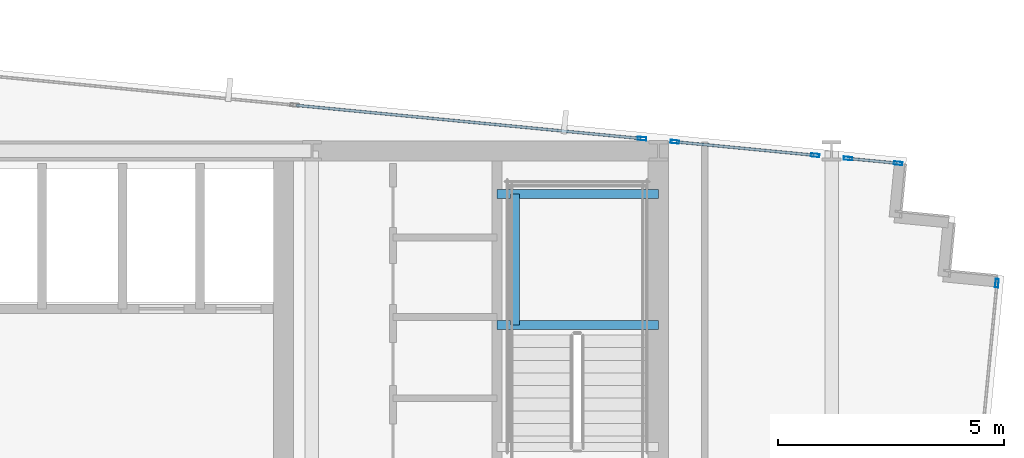
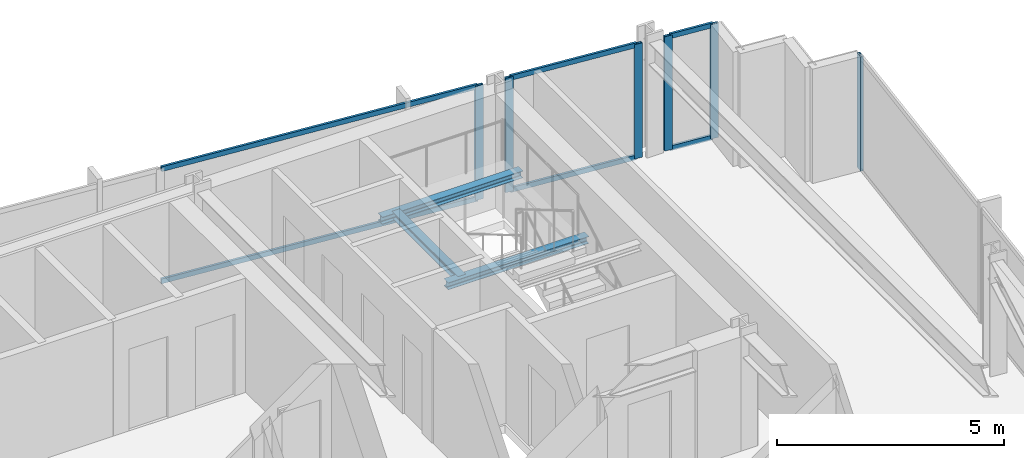
# One storey, part 27 of 38: 12 members, 3 beams, 4 elements without a shape of their own.
"""IFC4 building model written with IfcOpenShell, lengths in metres."""

from ifc_helpers import new_model, si_unit, direction, frame, origin, origin_2d, place, context, subcontext, project, spatial, hollow_rectangle, i_section, extrude, material, material_profile, profile_set, type_object, element, aggregate, save


model = new_model("IFC4")

# Units and contexts
model_context = context("Model", 3, precision=1e-05, world=origin(), true_north=direction((0.0, 1.0)))
body_context = subcontext(model_context, "Body", "Model", "MODEL_VIEW")
ifc_project = project(units=[si_unit("LENGTHUNIT", "METRE"), si_unit("AREAUNIT", "SQUARE_METRE"), si_unit("VOLUMEUNIT", "CUBIC_METRE"), si_unit("PLANEANGLEUNIT", "RADIAN"), si_unit("MASSUNIT", "GRAM", prefix="KILO")], contexts=[model_context])

# Site, building, storey
site_placement = place(None, origin())
site = spatial("IfcSite", under=ifc_project, at=site_placement, CompositionType="ELEMENT")
building_placement = place(site_placement, origin())
building = spatial("IfcBuilding", under=site, at=building_placement, Name="Yelkora Congress Tower", CompositionType="ELEMENT")
storey_placement = place(building_placement, frame((0.0, 0.0, 155.60009765625)))
storey = spatial("IfcBuildingStorey", under=building, at=storey_placement, Name="L42", CompositionType="ELEMENT", Elevation=155.60009765625)

# Beams
ifc_material_1 = material(Name="Steel S355J2", Category="steel")
ifc_material_profile_1 = material_profile(ifc_material_1, i_section(OverallWidth=0.199951171875, OverallDepth=0.18994140625, WebThickness=0.006591796875, FlangeThickness=0.010009765625, FilletRadius=0.01806640625, at=origin_2d()), Name="HEA 200")
ifc_profile_set_1 = profile_set([ifc_material_profile_1], Name="Steel S355J2")
beam_type = type_object("IfcBeamType", Name="BM-LAND-HEA200", PredefinedType="BEAM", material=ifc_profile_set_1)
for number, where, z_axis, x_axis, name in (
    (1, (50.179931640625, 42.340087890625, 1.33447265625), (1.0, 0.0, 0.0), (0.0, 1.0, 0.0), "ST-02 L42 Landing Header Beam 1S"),
    (2, (50.179931640625, 45.25, 1.33447265625), (1.0, 0.0, 0.0), (0.0, 1.0, 0.0), "ST-02 L42 Landing Header Beam 1N"),
):
    element("IfcBeam", number, at=place(storey_placement, frame(where, z_axis=z_axis, x_axis=x_axis)), inside=storey, type_object=beam_type, Name=name, PredefinedType="BEAM", context=body_context, shape_type="SweptSolid", body=[
        extrude(i_section(OverallWidth=0.199951171875, OverallDepth=0.18994140625, WebThickness=0.006591796875, FlangeThickness=0.010009765625, FilletRadius=0.01806640625, at=origin_2d()), origin(), (0.0, 0.0, 1.0), 3.580078125),
    ])
beam_placement = place(storey_placement, frame((50.580078125, 42.340087890625, 1.33447265625), z_axis=(0.0, 1.0, 0.0), x_axis=(-1.0, 0.0, 0.0)))
element("IfcBeam", 3, at=beam_placement, inside=storey, type_object=beam_type, Name="ST-02 L42 Landing Trimmer Beam 1M", PredefinedType="BEAM", context=body_context, shape_type="SweptSolid", body=[
    extrude(i_section(OverallWidth=0.199951171875, OverallDepth=0.18994140625, WebThickness=0.006591796875, FlangeThickness=0.010009765625, FilletRadius=0.01806640625, at=origin_2d()), origin(), (0.0, 0.0, 1.0), 2.909912109375),
])

# Curtain wall, member
ifc_material_2 = material(Name="Anodised aluminium and insulated glass", Category="aluminium")
curtain_wall_type = type_object("IfcCurtainWallType", Name="CW-SYS-B3", PredefinedType="NOTDEFINED", material=ifc_material_2)
curtain_wall_1_placement = place(storey_placement, origin())
curtain_wall_1 = element("IfcCurtainWall", 4, at=curtain_wall_1_placement, inside=storey, type_object=curtain_wall_type, Name="L42 Unitised Curtain Wall 10 (1)", PredefinedType="NOTDEFINED")
ifc_material_3 = material(Name="Anodised aluminium 6063-T6", Category="aluminium")
ifc_material_profile_2 = material_profile(ifc_material_3, hollow_rectangle(XDim=0.070068359375, YDim=0.18994140625, WallThickness=0.00390625, at=origin_2d()), Name="ALU 70x190x4")
ifc_profile_set_2 = profile_set([ifc_material_profile_2], Name="Anodised aluminium 6063-T6")
member_type_1 = type_object("IfcMemberType", Name="MEM-ML-B3", PredefinedType="MULLION", material=ifc_profile_set_2)
member_1_placement = place(storey_placement, frame((53.396240234375, 46.47314453125, 0.0), z_axis=(0.0, 0.0, 1.0), x_axis=(0.095844761168, 0.995396293823, 0.0)))
member_1 = element("IfcMember", 5, at=member_1_placement, type_object=member_type_1, Name="CW-B3 mullion 7", PredefinedType="MULLION", context=body_context, shape_type="SweptSolid", body=[
    extrude(hollow_rectangle(XDim=0.070068359375, YDim=0.18994140625, WallThickness=0.00390625, at=origin_2d()), origin(), (0.0, 0.0, 1.0), 3.079833984375),
])

# Curtain wall, members
curtain_wall_2_placement = place(storey_placement, origin())
curtain_wall_2 = element("IfcCurtainWall", 6, at=curtain_wall_2_placement, inside=storey, type_object=curtain_wall_type, Name="L42 Unitised Curtain Wall 10 (2)", PredefinedType="NOTDEFINED")
member_2_placement = place(storey_placement, frame((54.123779296875, 46.40283203125, 0.0), z_axis=(0.0, 0.0, 1.0), x_axis=(0.095848309157, 0.995395952188, 0.0)))
member_2 = element("IfcMember", 7, at=member_2_placement, type_object=member_type_1, Name="CW-B3 mullion 1", PredefinedType="MULLION", context=body_context, shape_type="SweptSolid", body=[
    extrude(hollow_rectangle(XDim=0.070068359375, YDim=0.18994140625, WallThickness=0.00390625, at=origin_2d()), origin(), (0.0, 0.0, 1.0), 3.079833984375),
])
member_3_placement = place(storey_placement, frame((57.236083984375, 46.103271484375, 0.0), z_axis=(0.0, 0.0, 1.0), x_axis=(0.095848309157, 0.995395952188, 0.0)))
member_3 = element("IfcMember", 8, at=member_3_placement, type_object=member_type_1, Name="CW-B3 mullion 2", PredefinedType="MULLION", context=body_context, shape_type="SweptSolid", body=[
    extrude(hollow_rectangle(XDim=0.070068359375, YDim=0.18994140625, WallThickness=0.00390625, at=origin_2d()), origin(), (0.0, 0.0, 1.0), 3.079833984375),
])

curtain_wall_3_placement = place(storey_placement, origin())
curtain_wall_3 = element("IfcCurtainWall", 9, at=curtain_wall_3_placement, inside=storey, type_object=curtain_wall_type, Name="L42 Unitised Curtain Wall 10 (3)", PredefinedType="NOTDEFINED")
member_4_placement = place(storey_placement, frame((57.9638671875, 46.033203125, 0.0), z_axis=(0.0, 0.0, 1.0), x_axis=(0.095852281686, 0.995395569658, 0.0)))
member_4 = element("IfcMember", 10, at=member_4_placement, type_object=member_type_1, Name="CW-B3 mullion 1", PredefinedType="MULLION", context=body_context, shape_type="SweptSolid", body=[
    extrude(hollow_rectangle(XDim=0.070068359375, YDim=0.18994140625, WallThickness=0.00390625, at=origin_2d()), origin(), (0.0, 0.0, 1.0), 3.079833984375),
])
member_5_placement = place(storey_placement, frame((59.073974609375, 45.92626953125, 0.0), z_axis=(0.0, 0.0, 1.0), x_axis=(0.095852281686, 0.995395569658, 0.0)))
member_5 = element("IfcMember", 11, at=member_5_placement, type_object=member_type_1, Name="CW-B3 mullion 2", PredefinedType="MULLION", context=body_context, shape_type="SweptSolid", body=[
    extrude(hollow_rectangle(XDim=0.070068359375, YDim=0.18994140625, WallThickness=0.00390625, at=origin_2d()), origin(), (0.0, 0.0, 1.0), 3.079833984375),
])

# Curtain wall, member
curtain_wall_4_placement = place(storey_placement, origin())
curtain_wall_4 = element("IfcCurtainWall", 12, at=curtain_wall_4_placement, inside=storey, type_object=curtain_wall_type, Name="L42 Unitised Curtain Wall 15", PredefinedType="NOTDEFINED")
member_6_placement = place(storey_placement, frame((61.26416015625, 43.26904296875, 0.0), z_axis=(0.0, 0.0, 1.0), x_axis=(0.995396565076, -0.095841944023, 0.0)))
member_6 = element("IfcMember", 13, at=member_6_placement, type_object=member_type_1, Name="CW-B3 mullion 1", PredefinedType="MULLION", context=body_context, shape_type="SweptSolid", body=[
    extrude(hollow_rectangle(XDim=0.070068359375, YDim=0.18994140625, WallThickness=0.00390625, at=origin_2d()), origin(), (0.0, 0.0, 1.0), 3.079833984375),
])
aggregate(curtain_wall_4, [member_6])

# Member
ifc_material_profile_3 = material_profile(ifc_material_3, hollow_rectangle(XDim=0.06005859375, YDim=0.1298828125, WallThickness=0.00390625, at=origin_2d()), Name="ALU 60x130x4")
ifc_profile_set_3 = profile_set([ifc_material_profile_3], Name="Anodised aluminium 6063-T6")
member_type_2 = type_object("IfcMemberType", Name="MEM-TR-B3", PredefinedType="USERDEFINED", material=ifc_profile_set_3)
member_7_placement = place(storey_placement, frame((45.732177734375, 47.2109375, 0.02978515625), z_axis=(0.99539600529, -0.095847757686, 0.0), x_axis=(0.095847757686, 0.99539600529, 0.0)))
member_7 = element("IfcMember", 14, at=member_7_placement, type_object=member_type_2, Name="CW-B3 transom 6.1", ObjectType="TRANSOM", PredefinedType="USERDEFINED", context=body_context, shape_type="SweptSolid", body=[
    extrude(hollow_rectangle(XDim=0.06005859375, YDim=0.1298828125, WallThickness=0.00390625, at=origin_2d()), origin(), (0.0, 0.0, 1.0), 7.66455078125),
])

member_8_placement = place(storey_placement, frame((45.732177734375, 47.2109375, 3.0498046875), z_axis=(0.99539600529, -0.095847757686, 0.0), x_axis=(0.095847757686, 0.99539600529, 0.0)))
member_8 = element("IfcMember", 15, at=member_8_placement, type_object=member_type_2, Name="CW-B3 transom 6.2", ObjectType="TRANSOM", PredefinedType="USERDEFINED", context=body_context, shape_type="SweptSolid", body=[
    extrude(hollow_rectangle(XDim=0.06005859375, YDim=0.1298828125, WallThickness=0.00390625, at=origin_2d()), origin(), (0.0, 0.0, 1.0), 7.66455078125),
])

aggregate(curtain_wall_1, [member_1, member_7, member_8])

member_9_placement = place(storey_placement, frame((54.15869140625, 46.399658203125, 0.02978515625), z_axis=(0.995396582455, -0.095841763536, 0.0), x_axis=(0.095841763536, 0.995396582455, 0.0)))
member_9 = element("IfcMember", 16, at=member_9_placement, type_object=member_type_2, Name="CW-B3 transom 1.1", ObjectType="TRANSOM", PredefinedType="USERDEFINED", context=body_context, shape_type="SweptSolid", body=[
    extrude(hollow_rectangle(XDim=0.06005859375, YDim=0.1298828125, WallThickness=0.00390625, at=origin_2d()), origin(), (0.0, 0.0, 1.0), 3.056884765625),
])

member_10_placement = place(storey_placement, frame((54.15869140625, 46.399658203125, 3.0498046875), z_axis=(0.995396582455, -0.095841763536, 0.0), x_axis=(0.095841763536, 0.995396582455, 0.0)))
member_10 = element("IfcMember", 17, at=member_10_placement, type_object=member_type_2, Name="CW-B3 transom 1.2", ObjectType="TRANSOM", PredefinedType="USERDEFINED", context=body_context, shape_type="SweptSolid", body=[
    extrude(hollow_rectangle(XDim=0.06005859375, YDim=0.1298828125, WallThickness=0.00390625, at=origin_2d()), origin(), (0.0, 0.0, 1.0), 3.056884765625),
])

aggregate(curtain_wall_2, [member_2, member_3, member_9, member_10])

member_11_placement = place(storey_placement, frame((57.998779296875, 46.02978515625, 0.02978515625), z_axis=(0.995402606714, -0.095779175957, 0.0), x_axis=(0.095779175957, 0.995402606714, 0.0)))
member_11 = element("IfcMember", 18, at=member_11_placement, type_object=member_type_2, Name="CW-B3 transom 1.1", ObjectType="TRANSOM", PredefinedType="USERDEFINED", context=body_context, shape_type="SweptSolid", body=[
    extrude(hollow_rectangle(XDim=0.06005859375, YDim=0.1298828125, WallThickness=0.00390625, at=origin_2d()), origin(), (0.0, 0.0, 1.0), 1.045166015625),
])

member_12_placement = place(storey_placement, frame((57.998779296875, 46.02978515625, 3.0498046875), z_axis=(0.995402606714, -0.095779175957, 0.0), x_axis=(0.095779175957, 0.995402606714, 0.0)))
member_12 = element("IfcMember", 19, at=member_12_placement, type_object=member_type_2, Name="CW-B3 transom 1.2", ObjectType="TRANSOM", PredefinedType="USERDEFINED", context=body_context, shape_type="SweptSolid", body=[
    extrude(hollow_rectangle(XDim=0.06005859375, YDim=0.1298828125, WallThickness=0.00390625, at=origin_2d()), origin(), (0.0, 0.0, 1.0), 1.045166015625),
])

aggregate(curtain_wall_3, [member_4, member_5, member_11, member_12])

save(model, "model.ifc")
